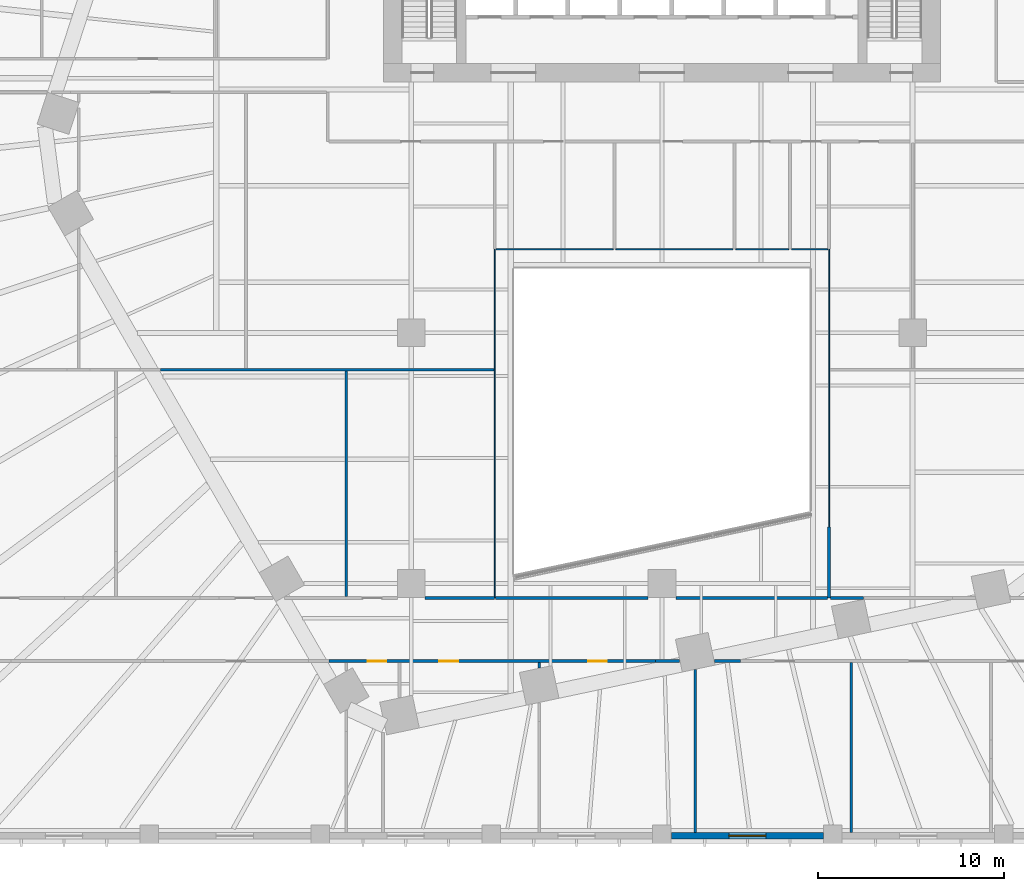
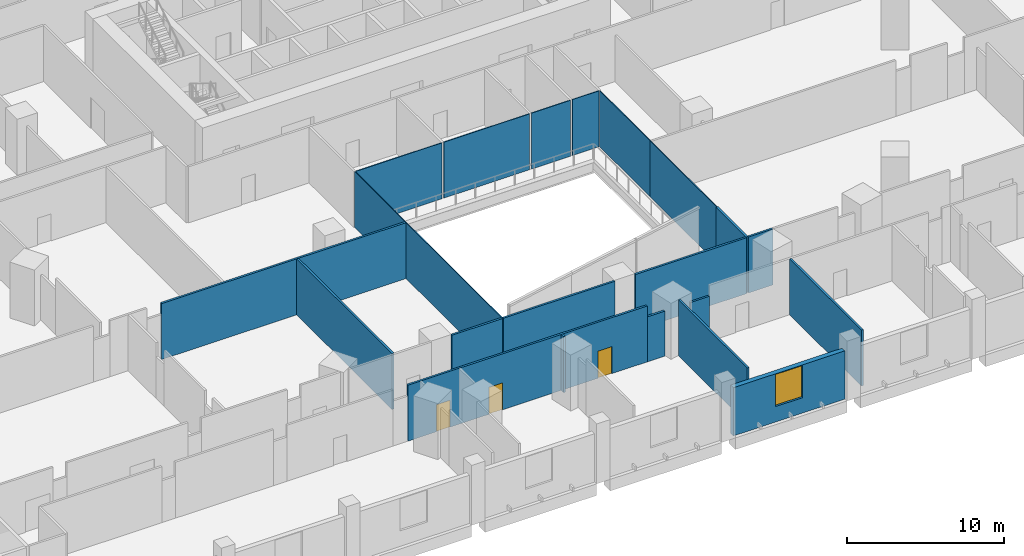
# One storey, part 15 of 33: 22 walls, 3 doors, 1 window, 4 openings.
"""IFC4 building model written with IfcOpenShell, lengths in metres."""

from ifc_helpers import new_model, si_unit, direction, frame, frame_2d, origin, place, context, subcontext, project, spatial, rectangle, extrude, material, layer, layer_set, type_object, element, fill, save


model = new_model("IFC4")

# Units and contexts
model_context = context("Model", 3, precision=1e-05, world=origin(), true_north=direction((0.0, 1.0)))
body_context = subcontext(model_context, "Body", "Model", "MODEL_VIEW")
ifc_project = project(units=[si_unit("LENGTHUNIT", "METRE"), si_unit("AREAUNIT", "SQUARE_METRE"), si_unit("VOLUMEUNIT", "CUBIC_METRE"), si_unit("PLANEANGLEUNIT", "RADIAN"), si_unit("MASSUNIT", "GRAM", prefix="KILO")], contexts=[model_context])

# Site, building, storey
site_placement = place(None, origin())
site = spatial("IfcSite", under=ifc_project, at=site_placement, CompositionType="ELEMENT")
building_placement = place(site_placement, origin())
building = spatial("IfcBuilding", under=site, at=building_placement, Name="Isthmus Gate Tower", CompositionType="ELEMENT")
storey_placement = place(building_placement, frame((0.0, 0.0, 31.5)))
storey = spatial("IfcBuildingStorey", under=building, at=storey_placement, Name="L05", CompositionType="ELEMENT", Elevation=31.5)

# Walls
ifc_material_1 = material(Name="Fire-rated laminated glass in steel frame", Category="steel")
ifc_layer_1 = layer(ifc_material_1, 0.06005859375)
ifc_layer_set_1 = layer_set([ifc_layer_1], Name="Fire-rated glazed atrium screen 60")
wall_type_1 = type_object("IfcWallType", Name="Fire-rated glazed atrium screen 60", PredefinedType="PARTITIONING", material=ifc_layer_set_1)
for number, where, z_axis, x_axis, name in (
    (1, (-8.925048828125, -9.0, 0.0), (0.0, 0.0, 1.0), (1.0, 0.0, 0.0), "Atrium screen"),
    (2, (-2.47509765625, -9.0, 0.0), (0.0, 0.0, 1.0), (1.0, 0.0, 0.0), "Atrium screen"),
):
    element("IfcWall", number, at=place(storey_placement, frame(where, z_axis=z_axis, x_axis=x_axis)), inside=storey, type_object=wall_type_1, Name=name, PredefinedType="PARTITIONING", context=body_context, shape_type="SweptSolid", body=[
        extrude(rectangle(XDim=6.300048828125, YDim=0.06005859375, at=frame_2d((3.14990234375, 0.0))), origin(), (0.0, 0.0, 1.0), 4.35009765625),
    ])
wall_1_placement = place(storey_placement, frame((3.97509765625, -9.0, 0.0), z_axis=(0.0, 0.0, 1.0), x_axis=(1.0, 0.0, 0.0)))
element("IfcWall", 3, at=wall_1_placement, inside=storey, type_object=wall_type_1, Name="Atrium screen", PredefinedType="PARTITIONING", context=body_context, shape_type="SweptSolid", body=[
    extrude(rectangle(XDim=2.849853515625, YDim=0.06005859375, at=frame_2d((1.4248046875, 0.0))), origin(), (0.0, 0.0, 1.0), 4.35009765625),
])
wall_2_placement = place(storey_placement, frame((6.97509765625, -9.0, 0.0), z_axis=(0.0, 0.0, 1.0), x_axis=(1.0, 0.0, 0.0)))
element("IfcWall", 4, at=wall_2_placement, inside=storey, type_object=wall_type_1, Name="Atrium screen", PredefinedType="PARTITIONING", context=body_context, shape_type="SweptSolid", body=[
    extrude(rectangle(XDim=1.949951171875, YDim=0.06005859375, at=frame_2d((0.97509765625, 0.0))), origin(), (0.0, 0.0, 1.0), 4.35009765625),
])
wall_3_placement = place(storey_placement, frame((-9.0, -27.778076171875, 0.0), z_axis=(0.0, 0.0, 1.0), x_axis=(0.0, 1.0, 0.0)))
element("IfcWall", 5, at=wall_3_placement, inside=storey, type_object=wall_type_1, Name="Atrium screen", PredefinedType="PARTITIONING", context=body_context, shape_type="SweptSolid", body=[
    extrude(rectangle(XDim=12.28759765625, YDim=0.06005859375, at=frame_2d((6.143798828125, 0.0))), origin(), (0.0, 0.0, 1.0), 4.35009765625),
])
wall_4_placement = place(storey_placement, frame((-9.0, -15.488525390625, 0.0), z_axis=(0.0, 0.0, 1.0), x_axis=(0.0, 1.0, 0.0)))
element("IfcWall", 6, at=wall_4_placement, inside=storey, type_object=wall_type_1, Name="Atrium screen", PredefinedType="PARTITIONING", context=body_context, shape_type="SweptSolid", body=[
    extrude(rectangle(XDim=6.487548828125, YDim=0.06005859375, at=frame_2d((3.24365234375, 0.0))), origin(), (0.0, 0.0, 1.0), 4.35009765625),
])
wall_5_placement = place(storey_placement, frame((9.0, -23.952880859375, 0.0), z_axis=(0.0, 0.0, 1.0), x_axis=(0.0, 1.0, 0.0)))
element("IfcWall", 7, at=wall_5_placement, inside=storey, type_object=wall_type_1, Name="Atrium screen", PredefinedType="PARTITIONING", context=body_context, shape_type="SweptSolid", body=[
    extrude(rectangle(XDim=8.46240234375, YDim=0.06005859375, at=frame_2d((4.231201171875, 0.0))), origin(), (0.0, 0.0, 1.0), 4.35009765625),
])
wall_6_placement = place(storey_placement, frame((9.0, -15.488525390625, 0.0), z_axis=(0.0, 0.0, 1.0), x_axis=(0.0, 1.0, 0.0)))
element("IfcWall", 8, at=wall_6_placement, inside=storey, type_object=wall_type_1, Name="Atrium screen", PredefinedType="PARTITIONING", context=body_context, shape_type="SweptSolid", body=[
    extrude(rectangle(XDim=6.487548828125, YDim=0.06005859375, at=frame_2d((3.24365234375, 0.0))), origin(), (0.0, 0.0, 1.0), 4.35009765625),
])

# Wall, opening, window
ifc_material_2 = material(Name="Precast concrete C40/50, limestone-faced", Category="masonry")
ifc_layer_2 = layer(ifc_material_2, 0.35009765625)
ifc_layer_set_2 = layer_set([ifc_layer_2], Name="PODIUM CLADDING WALL 350")
wall_type_2 = type_object("IfcWallType", Name="PODIUM CLADDING WALL 350", PredefinedType="SOLIDWALL", material=ifc_layer_set_2)
wall_7_placement = place(storey_placement, frame((0.5, -40.574951171875, -0.300048828125), z_axis=(0.0, 0.0, 1.0), x_axis=(1.0, 0.0, 0.0)))
wall_7 = element("IfcWall", 9, at=wall_7_placement, inside=storey, type_object=wall_type_2, Name="PODIUM WALL", PredefinedType="SOLIDWALL", context=body_context, shape_type="SweptSolid", body=[
    extrude(rectangle(XDim=8.199951171875, YDim=0.35009765625, at=frame_2d((4.10009765625, 0.0))), origin(), (0.0, 0.0, 1.0), 3.75),
])
opening_1_placement = place(wall_7_placement, frame((3.10009765625, 0.0, 1.199951171875)))
opening_1 = element("IfcOpeningElement", 10, at=opening_1_placement, cuts=wall_7, Name="Opening W096", PredefinedType="OPENING", context=body_context, shape_type="SweptSolid", body=[
    extrude(rectangle(XDim=2.0, YDim=2.5, at=frame_2d((1.0, 1.25))), frame((0.0, 0.18505859375, 0.0), z_axis=(0.0, -1.0, 0.0), x_axis=(1.0, 0.0, 0.0)), (0.0, 0.0, 1.0), 0.3701171875),
])
ifc_material_3 = material(Name="Aluminium, pale champagne anodised, laminated glass", Category="aluminium")
window_type = type_object("IfcWindowType", Name="PODIUM SLOT WINDOW 2000 X 2500", PartitioningType="SINGLE_PANEL", PredefinedType="WINDOW", material=ifc_material_3)
window_placement = place(opening_1_placement, origin())
window = element("IfcWindow", 11, at=window_placement, inside=storey, type_object=window_type, Name="SLOT WINDOW", OverallHeight=2.5, OverallWidth=2.0, PartitioningType="SINGLE_PANEL", PredefinedType="WINDOW", context=body_context, shape_type="SweptSolid", body=[
    extrude(rectangle(XDim=2.0, YDim=2.5, at=frame_2d((1.0, 1.25))), frame((0.0, 0.030029296875, 0.0), z_axis=(0.0, -1.0, 0.0), x_axis=(1.0, 0.0, 0.0)), (0.0, 0.0, 1.0), 0.06005859375),
])
fill(opening_1, window)

# Wall, openings, doors
ifc_material_4 = material(Name="Gypsum board on cold-formed steel studs", Category="steel")
ifc_layer_3 = layer(ifc_material_4, 0.14990234375)
ifc_layer_set_3 = layer_set([ifc_layer_3])
wall_type_3 = type_object("IfcWallType", Name="Partition 150 gypsum board on steel studs", PredefinedType="PARTITIONING", material=ifc_layer_set_3)
wall_8_placement = place(storey_placement, frame((-17.93896484375, -31.178955078125, 0.0), z_axis=(0.0, 0.0, 1.0), x_axis=(1.0, 0.0, 0.0)))
wall_8 = element("IfcWall", 12, at=wall_8_placement, inside=storey, type_object=wall_type_3, Name="Partition", PredefinedType="PARTITIONING", context=body_context, shape_type="SweptSolid", body=[
    extrude(rectangle(XDim=17.593017578125, YDim=0.14990234375, at=frame_2d((8.79638671875, 0.0))), origin(), (0.0, 0.0, 1.0), 4.35009765625),
])
opening_2_placement = place(wall_8_placement, frame((2.093994140625, 0.0, 0.0)))
opening_2 = element("IfcOpeningElement", 13, at=opening_2_placement, cuts=wall_8, Name="Opening DP05-44", PredefinedType="OPENING", context=body_context, shape_type="SweptSolid", body=[
    extrude(rectangle(XDim=1.0, YDim=2.10009765625, at=frame_2d((0.5, 1.050048828125))), frame((0.0, 0.0849609375, 0.0), z_axis=(0.0, -1.0, 0.0), x_axis=(1.0, 0.0, 0.0)), (0.0, 0.0, 1.0), 0.169921875),
])
opening_3_placement = place(wall_8_placement, frame((5.956787109375, 0.0, 0.0)))
opening_3 = element("IfcOpeningElement", 14, at=opening_3_placement, cuts=wall_8, Name="Opening DP05-45", PredefinedType="OPENING", context=body_context, shape_type="SweptSolid", body=[
    extrude(rectangle(XDim=1.0, YDim=2.10009765625, at=frame_2d((0.5, 1.050048828125))), frame((0.0, 0.0849609375, 0.0), z_axis=(0.0, -1.0, 0.0), x_axis=(1.0, 0.0, 0.0)), (0.0, 0.0, 1.0), 0.169921875),
])
opening_4_placement = place(wall_8_placement, frame((13.977783203125, 0.0, 0.0)))
opening_4 = element("IfcOpeningElement", 15, at=opening_4_placement, cuts=wall_8, Name="Opening DP05-46", PredefinedType="OPENING", context=body_context, shape_type="SweptSolid", body=[
    extrude(rectangle(XDim=1.0, YDim=2.10009765625, at=frame_2d((0.5, 1.050048828125))), frame((0.0, 0.0849609375, 0.0), z_axis=(0.0, -1.0, 0.0), x_axis=(1.0, 0.0, 0.0)), (0.0, 0.0, 1.0), 0.169921875),
])
ifc_material_5 = material(Name="Hollow metal frame with solid-core timber leaf", Category="wood")
door_type = type_object("IfcDoorType", Name="Single swing door 1000 x 2100", OperationType="SINGLE_SWING_LEFT", PredefinedType="DOOR", material=ifc_material_5)
door_1_placement = place(opening_2_placement, origin())
door_1 = element("IfcDoor", 16, at=door_1_placement, inside=storey, type_object=door_type, Name="Door DP05-44", OperationType="SINGLE_SWING_LEFT", OverallHeight=2.10009765625, OverallWidth=1.0, PredefinedType="DOOR", context=body_context, shape_type="SweptSolid", body=[
    extrude(rectangle(XDim=1.0, YDim=2.10009765625, at=frame_2d((0.5, 1.050048828125))), frame((0.0, 0.02490234375, 0.0), z_axis=(0.0, -1.0, 0.0), x_axis=(1.0, 0.0, 0.0)), (0.0, 0.0, 1.0), 0.050048828125),
])
fill(opening_2, door_1)
door_2_placement = place(opening_3_placement, origin())
door_2 = element("IfcDoor", 17, at=door_2_placement, inside=storey, type_object=door_type, Name="Door DP05-45", OperationType="SINGLE_SWING_LEFT", OverallHeight=2.10009765625, OverallWidth=1.0, PredefinedType="DOOR", context=body_context, shape_type="SweptSolid", body=[
    extrude(rectangle(XDim=1.0, YDim=2.10009765625, at=frame_2d((0.5, 1.050048828125))), frame((0.0, 0.02490234375, 0.0), z_axis=(0.0, -1.0, 0.0), x_axis=(1.0, 0.0, 0.0)), (0.0, 0.0, 1.0), 0.050048828125),
])
fill(opening_3, door_2)
door_3_placement = place(opening_4_placement, origin())
door_3 = element("IfcDoor", 18, at=door_3_placement, inside=storey, type_object=door_type, Name="Door DP05-46", OperationType="SINGLE_SWING_LEFT", OverallHeight=2.10009765625, OverallWidth=1.0, PredefinedType="DOOR", context=body_context, shape_type="SweptSolid", body=[
    extrude(rectangle(XDim=1.0, YDim=2.10009765625, at=frame_2d((0.5, 1.050048828125))), frame((0.0, 0.02490234375, 0.0), z_axis=(0.0, -1.0, 0.0), x_axis=(1.0, 0.0, 0.0)), (0.0, 0.0, 1.0), 0.050048828125),
])
fill(opening_4, door_3)

# Walls
wall_9_placement = place(storey_placement, frame((-0.345947265625, -31.178955078125, 0.0), z_axis=(0.0, 0.0, 1.0), x_axis=(1.0, 0.0, 0.0)))
element("IfcWall", 19, at=wall_9_placement, inside=storey, type_object=wall_type_3, Name="Partition", PredefinedType="PARTITIONING", context=body_context, shape_type="SweptSolid", body=[
    extrude(rectangle(XDim=1.302490234375, YDim=0.14990234375, at=frame_2d((0.6513671875, 0.0))), origin(), (0.0, 0.0, 1.0), 3.5),
])
wall_10_placement = place(storey_placement, frame((2.82861328125, -31.178955078125, 0.0), z_axis=(0.0, 0.0, 1.0), x_axis=(1.0, 0.0, 0.0)))
element("IfcWall", 20, at=wall_10_placement, inside=storey, type_object=wall_type_3, Name="Partition", PredefinedType="PARTITIONING", context=body_context, shape_type="SweptSolid", body=[
    extrude(rectangle(XDim=1.39453125, YDim=0.14990234375, at=frame_2d((0.697265625, 0.0))), origin(), (0.0, 0.0, 1.0), 3.5),
])
wall_11_placement = place(storey_placement, frame((-12.75, -27.779052734375, 0.0), z_axis=(0.0, 0.0, 1.0), x_axis=(1.0, 0.0, 0.0)))
element("IfcWall", 21, at=wall_11_placement, inside=storey, type_object=wall_type_3, Name="Partition", PredefinedType="PARTITIONING", context=body_context, shape_type="SweptSolid", body=[
    extrude(rectangle(XDim=3.719970703125, YDim=0.14990234375, at=frame_2d((1.85986328125, 0.0))), origin(), (0.0, 0.0, 1.0), 4.35009765625),
])
wall_12_placement = place(storey_placement, frame((-8.969970703125, -27.779052734375, 0.0), z_axis=(0.0, 0.0, 1.0), x_axis=(1.0, 0.0, 0.0)))
element("IfcWall", 22, at=wall_12_placement, inside=storey, type_object=wall_type_3, Name="Partition", PredefinedType="PARTITIONING", context=body_context, shape_type="SweptSolid", body=[
    extrude(rectangle(XDim=8.219970703125, YDim=0.14990234375, at=frame_2d((4.10986328125, 0.0))), origin(), (0.0, 0.0, 1.0), 4.35009765625),
])
wall_13_placement = place(storey_placement, frame((0.75, -27.779052734375, 0.0), z_axis=(0.0, 0.0, 1.0), x_axis=(1.0, 0.0, 0.0)))
element("IfcWall", 23, at=wall_13_placement, inside=storey, type_object=wall_type_3, Name="Partition", PredefinedType="PARTITIONING", context=body_context, shape_type="SweptSolid", body=[
    extrude(rectangle(XDim=8.175048828125, YDim=0.14990234375, at=frame_2d((4.08740234375, 0.0))), origin(), (0.0, 0.0, 1.0), 4.35009765625),
])
wall_14_placement = place(storey_placement, frame((9.074951171875, -27.779052734375, 0.0), z_axis=(0.0, 0.0, 1.0), x_axis=(1.0, 0.0, 0.0)))
element("IfcWall", 24, at=wall_14_placement, inside=storey, type_object=wall_type_3, Name="Partition", PredefinedType="PARTITIONING", context=body_context, shape_type="SweptSolid", body=[
    extrude(rectangle(XDim=1.77294921875, YDim=0.14990234375, at=frame_2d((0.886474609375, 0.0))), origin(), (0.0, 0.0, 1.0), 4.35009765625),
])
wall_15_placement = place(storey_placement, frame((-26.99755859375, -15.489013671875, 0.0), z_axis=(0.0, 0.0, 1.0), x_axis=(1.0, 0.0, 0.0)))
element("IfcWall", 25, at=wall_15_placement, inside=storey, type_object=wall_type_3, Name="Partition", PredefinedType="PARTITIONING", context=body_context, shape_type="SweptSolid", body=[
    extrude(rectangle(XDim=17.967529296875, YDim=0.14990234375, at=frame_2d((8.98388671875, 0.0))), origin(), (0.0, 0.0, 1.0), 4.35009765625),
])
wall_16_placement = place(storey_placement, frame((-17.0, -27.7041015625, 0.0), z_axis=(0.0, 0.0, 1.0), x_axis=(0.0, 1.0, 0.0)))
element("IfcWall", 26, at=wall_16_placement, inside=storey, type_object=wall_type_3, Name="Partition", PredefinedType="PARTITIONING", context=body_context, shape_type="SweptSolid", body=[
    extrude(rectangle(XDim=12.14013671875, YDim=0.14990234375, at=frame_2d((6.070068359375, 0.0))), origin(), (0.0, 0.0, 1.0), 4.35009765625),
])
wall_17_placement = place(storey_placement, frame((-6.611083984375, -31.549072265625, 0.0), z_axis=(0.0, 0.0, 1.0), x_axis=(0.0, 1.0, 0.0)))
element("IfcWall", 27, at=wall_17_placement, inside=storey, type_object=wall_type_3, Name="Partition", PredefinedType="PARTITIONING", context=body_context, shape_type="SweptSolid", body=[
    extrude(rectangle(XDim=0.295166015625, YDim=0.14990234375, at=frame_2d((0.1474609375, 0.0))), origin(), (0.0, 0.0, 1.0), 4.35009765625),
])
wall_18_placement = place(storey_placement, frame((1.791015625, -40.39990234375, 0.0), z_axis=(0.0, 0.0, 1.0), x_axis=(0.0, 1.0, 0.0)))
element("IfcWall", 28, at=wall_18_placement, inside=storey, type_object=wall_type_3, Name="Partition", PredefinedType="PARTITIONING", context=body_context, shape_type="SweptSolid", body=[
    extrude(rectangle(XDim=8.7646484375, YDim=0.14990234375, at=frame_2d((4.38232421875, 0.0))), origin(), (0.0, 0.0, 1.0), 4.35009765625),
])
wall_19_placement = place(storey_placement, frame((9.0, -27.778076171875, 0.0), z_axis=(0.0, 0.0, 1.0), x_axis=(0.0, 1.0, 0.0)))
element("IfcWall", 29, at=wall_19_placement, inside=storey, type_object=wall_type_3, Name="Partition", PredefinedType="PARTITIONING", context=body_context, shape_type="SweptSolid", body=[
    extrude(rectangle(XDim=3.8251953125, YDim=0.14990234375, at=frame_2d((1.91259765625, 0.0))), origin(), (0.0, 0.0, 1.0), 4.35009765625),
])
wall_20_placement = place(storey_placement, frame((10.19189453125, -40.39990234375, 0.0), z_axis=(0.0, 0.0, 1.0), x_axis=(0.0, 1.0, 0.0)))
element("IfcWall", 30, at=wall_20_placement, inside=storey, type_object=wall_type_3, Name="Partition", PredefinedType="PARTITIONING", context=body_context, shape_type="SweptSolid", body=[
    extrude(rectangle(XDim=9.14599609375, YDim=0.14990234375, at=frame_2d((4.572998046875, 0.0))), origin(), (0.0, 0.0, 1.0), 4.35009765625),
])

save(model, "model.ifc")
